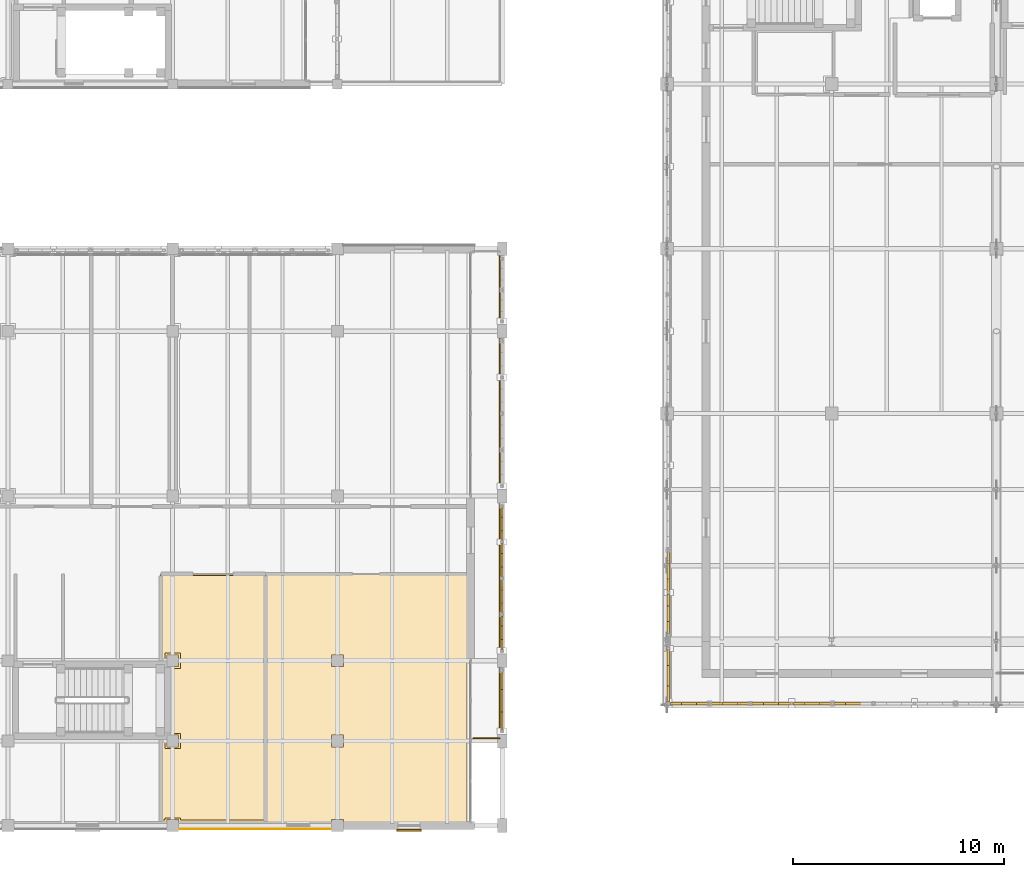
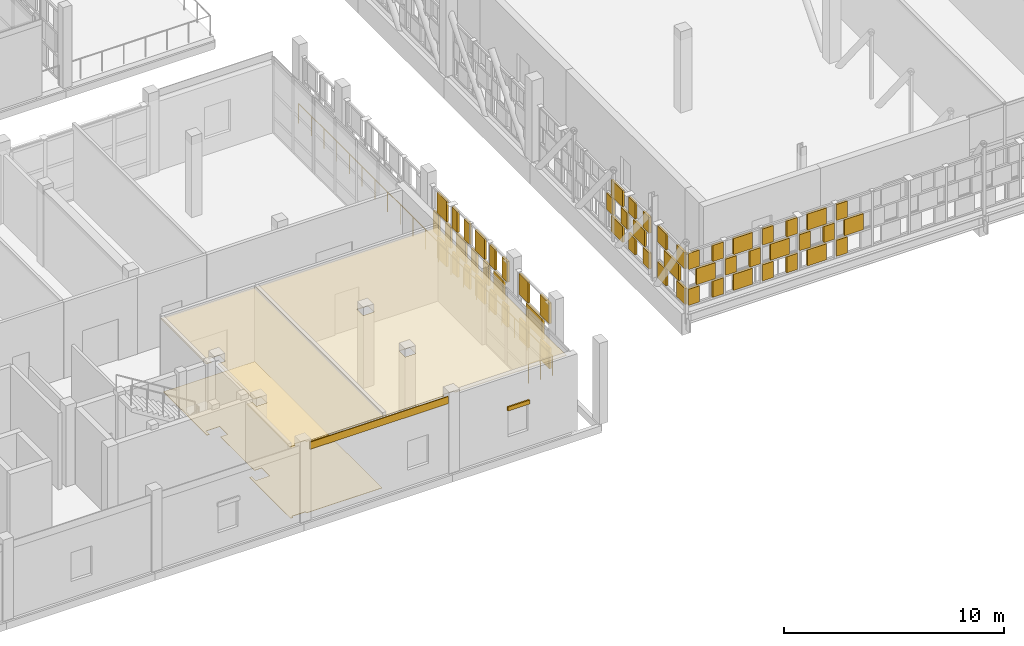
# One storey, part 104 of 119: 62 coverings, 2 railings, 1 shading device.
"""IFC4 building model written with IfcOpenShell, lengths in metres."""

from ifc_helpers import new_model, si_unit, direction, frame, origin, origin_2d, place, context, subcontext, project, spatial, polyline, rectangle, circle, outline, extrude, material, layer, layer_set, type_object, element, save


model = new_model("IFC4")

# Units and contexts
model_context = context("Model", 3, precision=1e-05, world=origin(), true_north=direction((0.0, 1.0)))
body_context = subcontext(model_context, "Body", "Model", "MODEL_VIEW")
ifc_project = project(units=[si_unit("LENGTHUNIT", "METRE"), si_unit("AREAUNIT", "SQUARE_METRE"), si_unit("VOLUMEUNIT", "CUBIC_METRE"), si_unit("PLANEANGLEUNIT", "RADIAN"), si_unit("MASSUNIT", "GRAM", prefix="KILO")], contexts=[model_context])

# Site, building, storey
site_placement = place(None, origin())
site = spatial("IfcSite", under=ifc_project, at=site_placement, CompositionType="ELEMENT")
building_placement = place(site_placement, origin())
building = spatial("IfcBuilding", under=site, at=building_placement, Name="Celorna Specialist Clinic", CompositionType="ELEMENT")
storey_placement = place(building_placement, frame((0.0, 0.0, 9.60009765625)))
storey = spatial("IfcBuildingStorey", under=building, at=storey_placement, Name="L02", CompositionType="ELEMENT", Elevation=9.60009765625)

# Railings
ifc_material_1 = material(Name="Stainless steel and laminated glass balustrade", Category="steel")
railing_type = type_object("IfcRailingType", Name="BL-01", PredefinedType="BALUSTRADE", material=ifc_material_1)
railing_1_placement = place(storey_placement, frame((46.679931640625, 27.179931640625, 0.0)))
element("IfcRailing", 1, at=railing_1_placement, inside=storey, type_object=railing_type, Name="Day Surgery Forecourt Veranda perimeter balustrade 3", PredefinedType="BALUSTRADE", context=body_context, shape_type="SweptSolid", body=[
    extrude(circle(Radius=0.02392578125, at=origin_2d()), frame((0.0, 0.0, 1.09619140625), z_axis=(0.0, -1.0, 0.0), x_axis=(1.0, 0.0, 0.0)), (0.0, 0.0, 1.0), 23.059814453125),
    extrude(circle(Radius=0.02099609375, at=origin_2d()), origin(), (0.0, 0.0, 1.0), 1.072021484375),
    extrude(circle(Radius=0.02099609375, at=origin_2d()), frame((0.0, -1.153076171875, 0.0)), (0.0, 0.0, 1.0), 1.072021484375),
    extrude(circle(Radius=0.02099609375, at=origin_2d()), frame((0.0, -2.305908203125, 0.0)), (0.0, 0.0, 1.0), 1.072021484375),
    extrude(circle(Radius=0.02099609375, at=origin_2d()), frame((0.0, -3.458984375, 0.0)), (0.0, 0.0, 1.0), 1.072021484375),
    extrude(circle(Radius=0.02099609375, at=origin_2d()), frame((0.0, -4.612060546875, 0.0)), (0.0, 0.0, 1.0), 1.072021484375),
    extrude(circle(Radius=0.02099609375, at=origin_2d()), frame((0.0, -5.764892578125, 0.0)), (0.0, 0.0, 1.0), 1.072021484375),
    extrude(circle(Radius=0.02099609375, at=origin_2d()), frame((0.0, -6.91796875, 0.0)), (0.0, 0.0, 1.0), 1.072021484375),
    extrude(circle(Radius=0.02099609375, at=origin_2d()), frame((0.0, -8.071044921875, 0.0)), (0.0, 0.0, 1.0), 1.072021484375),
    extrude(circle(Radius=0.02099609375, at=origin_2d()), frame((0.0, -9.223876953125, 0.0)), (0.0, 0.0, 1.0), 1.072021484375),
    extrude(circle(Radius=0.02099609375, at=origin_2d()), frame((0.0, -10.376953125, 0.0)), (0.0, 0.0, 1.0), 1.072021484375),
    extrude(circle(Radius=0.02099609375, at=origin_2d()), frame((0.0, -11.52978515625, 0.0)), (0.0, 0.0, 1.0), 1.072021484375),
    extrude(circle(Radius=0.02099609375, at=origin_2d()), frame((0.0, -12.682861328125, 0.0)), (0.0, 0.0, 1.0), 1.072021484375),
    extrude(circle(Radius=0.02099609375, at=origin_2d()), frame((0.0, -13.8359375, 0.0)), (0.0, 0.0, 1.0), 1.072021484375),
    extrude(circle(Radius=0.02099609375, at=origin_2d()), frame((0.0, -14.98876953125, 0.0)), (0.0, 0.0, 1.0), 1.072021484375),
    extrude(circle(Radius=0.02099609375, at=origin_2d()), frame((0.0, -16.141845703125, 0.0)), (0.0, 0.0, 1.0), 1.072021484375),
    extrude(circle(Radius=0.02099609375, at=origin_2d()), frame((0.0, -17.294921875, 0.0)), (0.0, 0.0, 1.0), 1.072021484375),
    extrude(circle(Radius=0.02099609375, at=origin_2d()), frame((0.0, -18.44775390625, 0.0)), (0.0, 0.0, 1.0), 1.072021484375),
    extrude(circle(Radius=0.02099609375, at=origin_2d()), frame((0.0, -19.600830078125, 0.0)), (0.0, 0.0, 1.0), 1.072021484375),
    extrude(circle(Radius=0.02099609375, at=origin_2d()), frame((0.0, -20.75390625, 0.0)), (0.0, 0.0, 1.0), 1.072021484375),
    extrude(circle(Radius=0.02099609375, at=origin_2d()), frame((0.0, -21.90673828125, 0.0)), (0.0, 0.0, 1.0), 1.072021484375),
    extrude(circle(Radius=0.02099609375, at=origin_2d()), frame((0.0, -23.059814453125, 0.0)), (0.0, 0.0, 1.0), 1.072021484375),
])
railing_2_placement = place(storey_placement, frame((46.679931640625, 4.1201171875, 0.0)))
element("IfcRailing", 2, at=railing_2_placement, inside=storey, type_object=railing_type, Name="Day Surgery Forecourt Veranda perimeter balustrade 4", PredefinedType="BALUSTRADE", context=body_context, shape_type="SweptSolid", body=[
    extrude(circle(Radius=0.02392578125, at=origin_2d()), frame((0.0, 0.0, 1.09619140625), z_axis=(-1.0, 0.0, 0.0), x_axis=(0.0, -1.0, 0.0)), (0.0, 0.0, 1.0), 1.260009765625),
    extrude(circle(Radius=0.02099609375, at=origin_2d()), origin(), (0.0, 0.0, 1.0), 1.072021484375),
    extrude(circle(Radius=0.02099609375, at=origin_2d()), frame((-0.6298828125, 0.0, 0.0)), (0.0, 0.0, 1.0), 1.072021484375),
    extrude(circle(Radius=0.02099609375, at=origin_2d()), frame((-1.260009765625, 0.0, 0.0)), (0.0, 0.0, 1.0), 1.072021484375),
])

# Coverings
ifc_material_2 = material(Name="Hygienic acoustic mineral-fibre ceiling")
ifc_layer_1 = layer(ifc_material_2, 0.030029296875, Name="Hygienic acoustic mineral-fibre ceiling")
ifc_layer_set_1 = layer_set([ifc_layer_1], Name="Hygienic acoustic mineral-fibre ceiling")
covering_type_1 = type_object("IfcCoveringType", Name="CE-01", PredefinedType="CEILING", material=ifc_layer_set_1)
covering_1_placement = place(storey_placement, frame((0.0, 0.0, 4.02978515625)))
element("IfcCovering", 3, at=covering_1_placement, inside=storey, type_object=covering_type_1, Name="Acoustic ceiling L02-055", PredefinedType="CEILING", context=body_context, shape_type="SweptSolid", body=[
    extrude(outline(polyline([(35.60498046875, 0.175048828125), (31.47998046875, 0.175048828125), (31.47998046875, 0.280029296875), (30.919921875, 0.280029296875), (30.919921875, 0.175048828125), (30.625, 0.175048828125), (30.625, 4.094970703125), (30.919921875, 4.094970703125), (30.919921875, 3.719970703125), (31.47998046875, 3.719970703125), (31.47998046875, 4.280029296875), (31.094970703125, 4.280029296875), (31.094970703125, 7.52001953125), (31.47998046875, 7.52001953125), (31.47998046875, 8.080078125), (30.919921875, 8.080078125), (30.919921875, 7.764892578125), (30.625, 7.764892578125), (30.625, 11.9150390625), (35.60498046875, 11.9150390625), (35.60498046875, 0.175048828125)])), origin(), (0.0, 0.0, 1.0), 0.030029296875),
])
covering_2_placement = place(storey_placement, frame((0.0, 0.0, 4.02978515625)))
element("IfcCovering", 4, at=covering_2_placement, inside=storey, type_object=covering_type_1, Name="Acoustic ceiling L02-056", PredefinedType="CEILING", context=body_context, shape_type="SweptSolid", body=[
    extrude(outline(polyline([(45.125, 11.9150390625), (45.125, 0.175048828125), (39.280029296875, 0.175048828125), (39.280029296875, 0.280029296875), (38.719970703125, 0.280029296875), (38.719970703125, 0.175048828125), (35.574951171875, 0.175048828125), (35.574951171875, 11.9150390625), (45.125, 11.9150390625)]), holes=[polyline([(39.280029296875, 4.280029296875), (38.719970703125, 4.280029296875), (38.719970703125, 3.719970703125), (39.280029296875, 3.719970703125), (39.280029296875, 4.280029296875)]), polyline([(39.280029296875, 8.080078125), (38.719970703125, 8.080078125), (38.719970703125, 7.52001953125), (39.280029296875, 7.52001953125), (39.280029296875, 8.080078125)])]), origin(), (0.0, 0.0, 1.0), 0.030029296875),
])
ifc_material_3 = material(Name="Pero Pinheiro Lioz limestone rainscreen cladding", Category="masonry")
ifc_layer_2 = layer(ifc_material_3, 0.044921875, Name="Pero Pinheiro Lioz limestone rainscreen cladding")
ifc_layer_set_2 = layer_set([ifc_layer_2], Name="Pero Pinheiro Lioz limestone rainscreen cladding")
covering_type_2 = type_object("IfcCoveringType", Name="CL-01", PredefinedType="CLADDING", material=ifc_layer_set_2)
covering_3_placement = place(storey_placement, frame((35.10009765625, -0.16748046875, 3.83984375), z_axis=(0.0, 0.0, 1.0), x_axis=(-1.0, 0.0, 0.0)))
element("IfcCovering", 5, at=covering_3_placement, inside=storey, type_object=covering_type_2, Name="Lioz spandrel cladding #340", PredefinedType="CLADDING", context=body_context, shape_type="SweptSolid", body=[
    extrude(rectangle(XDim=7.25, YDim=0.044921875, at=origin_2d()), origin(), (0.0, 0.0, 1.0), 0.39990234375),
])
ifc_material_4 = material(Name="Perforated terracotta brick weave cladding", Category="masonry")
ifc_layer_3 = layer(ifc_material_4, 0.114990234375, Name="Perforated terracotta brick weave cladding")
ifc_layer_set_3 = layer_set([ifc_layer_3], Name="Perforated terracotta brick weave cladding")
covering_type_3 = type_object("IfcCoveringType", Name="CL-02", PredefinedType="CLADDING", material=ifc_layer_set_3)
for number, where, z_axis, x_axis, name in (
    (6, (55.017578125, 5.77001953125, 0.099609375), (0.0, 0.0, 1.0), (1.0, 0.0, 0.0), "Woven perforated terracotta brick course #1"),
    (7, (56.282470703125, 5.77001953125, 0.099609375), (0.0, 0.0, 1.0), (1.0, 0.0, 0.0), "Woven perforated terracotta brick course #2"),
):
    element("IfcCovering", number, at=place(storey_placement, frame(where, z_axis=z_axis, x_axis=x_axis)), inside=storey, type_object=covering_type_3, Name=name, PredefinedType="CLADDING", context=body_context, shape_type="SweptSolid", body=[
        extrude(rectangle(XDim=0.55517578125, YDim=0.114990234375, at=origin_2d()), origin(), (0.0, 0.0, 1.0), 0.893310546875),
    ])
covering_4_placement = place(storey_placement, frame((55.64990234375, 5.77001953125, 1.09326171875), z_axis=(0.0, 0.0, 1.0), x_axis=(1.0, 0.0, 0.0)))
element("IfcCovering", 8, at=covering_4_placement, inside=storey, type_object=covering_type_3, Name="Woven perforated terracotta brick course #3", PredefinedType="CLADDING", context=body_context, shape_type="SweptSolid", body=[
    extrude(rectangle(XDim=0.98291015625, YDim=0.114990234375, at=origin_2d()), origin(), (0.0, 0.0, 1.0), 0.893310546875),
])
for number, where, z_axis, x_axis, name in (
    (9, (55.017578125, 5.77001953125, 2.08642578125), (0.0, 0.0, 1.0), (1.0, 0.0, 0.0), "Woven perforated terracotta brick course #4"),
    (10, (56.282470703125, 5.77001953125, 2.08642578125), (0.0, 0.0, 1.0), (1.0, 0.0, 0.0), "Woven perforated terracotta brick course #5"),
):
    element("IfcCovering", number, at=place(storey_placement, frame(where, z_axis=z_axis, x_axis=x_axis)), inside=storey, type_object=covering_type_3, Name=name, PredefinedType="CLADDING", context=body_context, shape_type="SweptSolid", body=[
        extrude(rectangle(XDim=0.55517578125, YDim=0.114990234375, at=origin_2d()), origin(), (0.0, 0.0, 1.0), 0.893310546875),
    ])
covering_5_placement = place(storey_placement, frame((57.590087890625, 5.77001953125, 0.099609375), z_axis=(0.0, 0.0, 1.0), x_axis=(1.0, 0.0, 0.0)))
element("IfcCovering", 11, at=covering_5_placement, inside=storey, type_object=covering_type_3, Name="Woven perforated terracotta brick course #6", PredefinedType="CLADDING", context=body_context, shape_type="SweptSolid", body=[
    extrude(rectangle(XDim=0.98291015625, YDim=0.114990234375, at=origin_2d()), origin(), (0.0, 0.0, 1.0), 0.893310546875),
])
for number, where, z_axis, x_axis, name in (
    (12, (56.95751953125, 5.77001953125, 1.09326171875), (0.0, 0.0, 1.0), (1.0, 0.0, 0.0), "Woven perforated terracotta brick course #7"),
    (13, (58.222412109375, 5.77001953125, 1.09326171875), (0.0, 0.0, 1.0), (1.0, 0.0, 0.0), "Woven perforated terracotta brick course #8"),
):
    element("IfcCovering", number, at=place(storey_placement, frame(where, z_axis=z_axis, x_axis=x_axis)), inside=storey, type_object=covering_type_3, Name=name, PredefinedType="CLADDING", context=body_context, shape_type="SweptSolid", body=[
        extrude(rectangle(XDim=0.55517578125, YDim=0.114990234375, at=origin_2d()), origin(), (0.0, 0.0, 1.0), 0.893310546875),
    ])
covering_6_placement = place(storey_placement, frame((57.590087890625, 5.77001953125, 2.08642578125), z_axis=(0.0, 0.0, 1.0), x_axis=(1.0, 0.0, 0.0)))
element("IfcCovering", 14, at=covering_6_placement, inside=storey, type_object=covering_type_3, Name="Woven perforated terracotta brick course #9", PredefinedType="CLADDING", context=body_context, shape_type="SweptSolid", body=[
    extrude(rectangle(XDim=0.98291015625, YDim=0.114990234375, at=origin_2d()), origin(), (0.0, 0.0, 1.0), 0.893310546875),
])
for number, where, z_axis, x_axis, name in (
    (15, (58.897705078125, 5.77001953125, 0.099609375), (0.0, 0.0, 1.0), (1.0, 0.0, 0.0), "Woven perforated terracotta brick course #10"),
    (16, (60.162353515625, 5.77001953125, 0.099609375), (0.0, 0.0, 1.0), (1.0, 0.0, 0.0), "Woven perforated terracotta brick course #11"),
):
    element("IfcCovering", number, at=place(storey_placement, frame(where, z_axis=z_axis, x_axis=x_axis)), inside=storey, type_object=covering_type_3, Name=name, PredefinedType="CLADDING", context=body_context, shape_type="SweptSolid", body=[
        extrude(rectangle(XDim=0.55517578125, YDim=0.114990234375, at=origin_2d()), origin(), (0.0, 0.0, 1.0), 0.893310546875),
    ])
covering_7_placement = place(storey_placement, frame((59.530029296875, 5.77001953125, 1.09326171875), z_axis=(0.0, 0.0, 1.0), x_axis=(1.0, 0.0, 0.0)))
element("IfcCovering", 17, at=covering_7_placement, inside=storey, type_object=covering_type_3, Name="Woven perforated terracotta brick course #12", PredefinedType="CLADDING", context=body_context, shape_type="SweptSolid", body=[
    extrude(rectangle(XDim=0.98291015625, YDim=0.114990234375, at=origin_2d()), origin(), (0.0, 0.0, 1.0), 0.893310546875),
])
for number, where, z_axis, x_axis, name in (
    (18, (58.897705078125, 5.77001953125, 2.08642578125), (0.0, 0.0, 1.0), (1.0, 0.0, 0.0), "Woven perforated terracotta brick course #13"),
    (19, (60.162353515625, 5.77001953125, 2.08642578125), (0.0, 0.0, 1.0), (1.0, 0.0, 0.0), "Woven perforated terracotta brick course #14"),
):
    element("IfcCovering", number, at=place(storey_placement, frame(where, z_axis=z_axis, x_axis=x_axis)), inside=storey, type_object=covering_type_3, Name=name, PredefinedType="CLADDING", context=body_context, shape_type="SweptSolid", body=[
        extrude(rectangle(XDim=0.55517578125, YDim=0.114990234375, at=origin_2d()), origin(), (0.0, 0.0, 1.0), 0.893310546875),
    ])
covering_8_placement = place(storey_placement, frame((61.469970703125, 5.77001953125, 0.099609375), z_axis=(0.0, 0.0, 1.0), x_axis=(1.0, 0.0, 0.0)))
element("IfcCovering", 20, at=covering_8_placement, inside=storey, type_object=covering_type_3, Name="Woven perforated terracotta brick course #15", PredefinedType="CLADDING", context=body_context, shape_type="SweptSolid", body=[
    extrude(rectangle(XDim=0.98291015625, YDim=0.114990234375, at=origin_2d()), origin(), (0.0, 0.0, 1.0), 0.893310546875),
])
for number, where, z_axis, x_axis, name in (
    (21, (60.837646484375, 5.77001953125, 1.09326171875), (0.0, 0.0, 1.0), (1.0, 0.0, 0.0), "Woven perforated terracotta brick course #16"),
    (22, (62.102294921875, 5.77001953125, 1.09326171875), (0.0, 0.0, 1.0), (1.0, 0.0, 0.0), "Woven perforated terracotta brick course #17"),
):
    element("IfcCovering", number, at=place(storey_placement, frame(where, z_axis=z_axis, x_axis=x_axis)), inside=storey, type_object=covering_type_3, Name=name, PredefinedType="CLADDING", context=body_context, shape_type="SweptSolid", body=[
        extrude(rectangle(XDim=0.55517578125, YDim=0.114990234375, at=origin_2d()), origin(), (0.0, 0.0, 1.0), 0.893310546875),
    ])
covering_9_placement = place(storey_placement, frame((61.469970703125, 5.77001953125, 2.08642578125), z_axis=(0.0, 0.0, 1.0), x_axis=(1.0, 0.0, 0.0)))
element("IfcCovering", 23, at=covering_9_placement, inside=storey, type_object=covering_type_3, Name="Woven perforated terracotta brick course #18", PredefinedType="CLADDING", context=body_context, shape_type="SweptSolid", body=[
    extrude(rectangle(XDim=0.98291015625, YDim=0.114990234375, at=origin_2d()), origin(), (0.0, 0.0, 1.0), 0.893310546875),
])
covering_10_placement = place(storey_placement, frame((62.777587890625, 5.77001953125, 0.099609375), z_axis=(0.0, 0.0, 1.0), x_axis=(1.0, 0.0, 0.0)))
element("IfcCovering", 24, at=covering_10_placement, inside=storey, type_object=covering_type_3, Name="Woven perforated terracotta brick course #19", PredefinedType="CLADDING", context=body_context, shape_type="SweptSolid", body=[
    extrude(rectangle(XDim=0.55517578125, YDim=0.114990234375, at=origin_2d()), origin(), (0.0, 0.0, 1.0), 0.893310546875),
])
covering_11_placement = place(storey_placement, frame((63.409912109375, 5.77001953125, 1.09326171875), z_axis=(0.0, 0.0, 1.0), x_axis=(1.0, 0.0, 0.0)))
element("IfcCovering", 25, at=covering_11_placement, inside=storey, type_object=covering_type_3, Name="Woven perforated terracotta brick course #21", PredefinedType="CLADDING", context=body_context, shape_type="SweptSolid", body=[
    extrude(rectangle(XDim=0.98291015625, YDim=0.114990234375, at=origin_2d()), origin(), (0.0, 0.0, 1.0), 0.893310546875),
])
covering_12_placement = place(storey_placement, frame((62.777587890625, 5.77001953125, 2.08642578125), z_axis=(0.0, 0.0, 1.0), x_axis=(1.0, 0.0, 0.0)))
element("IfcCovering", 26, at=covering_12_placement, inside=storey, type_object=covering_type_3, Name="Woven perforated terracotta brick course #22", PredefinedType="CLADDING", context=body_context, shape_type="SweptSolid", body=[
    extrude(rectangle(XDim=0.55517578125, YDim=0.114990234375, at=origin_2d()), origin(), (0.0, 0.0, 1.0), 0.893310546875),
])
for number, where, z_axis, x_axis, name in (
    (27, (54.669921875, 6.21826171875, 0.099609375), (0.0, 0.0, 1.0), (0.0, 1.0, 0.0), "Woven perforated terracotta brick course #145"),
    (28, (54.669921875, 7.94189453125, 0.099609375), (0.0, 0.0, 1.0), (0.0, 1.0, 0.0), "Woven perforated terracotta brick course #146"),
):
    element("IfcCovering", number, at=place(storey_placement, frame(where, z_axis=z_axis, x_axis=x_axis)), inside=storey, type_object=covering_type_3, Name=name, PredefinedType="CLADDING", context=body_context, shape_type="SweptSolid", body=[
        extrude(rectangle(XDim=0.75634765625, YDim=0.114990234375, at=origin_2d()), origin(), (0.0, 0.0, 1.0), 0.893310546875),
    ])
covering_13_placement = place(storey_placement, frame((54.669921875, 7.080078125, 1.09326171875), z_axis=(0.0, 0.0, 1.0), x_axis=(0.0, 1.0, 0.0)))
element("IfcCovering", 29, at=covering_13_placement, inside=storey, type_object=covering_type_3, Name="Woven perforated terracotta brick course #147", PredefinedType="CLADDING", context=body_context, shape_type="SweptSolid", body=[
    extrude(rectangle(XDim=1.339111328125, YDim=0.114990234375, at=origin_2d()), origin(), (0.0, 0.0, 1.0), 0.893310546875),
])
for number, where, z_axis, x_axis, name in (
    (30, (54.669921875, 6.21826171875, 2.08642578125), (0.0, 0.0, 1.0), (0.0, 1.0, 0.0), "Woven perforated terracotta brick course #148"),
    (31, (54.669921875, 7.94189453125, 2.08642578125), (0.0, 0.0, 1.0), (0.0, 1.0, 0.0), "Woven perforated terracotta brick course #149"),
):
    element("IfcCovering", number, at=place(storey_placement, frame(where, z_axis=z_axis, x_axis=x_axis)), inside=storey, type_object=covering_type_3, Name=name, PredefinedType="CLADDING", context=body_context, shape_type="SweptSolid", body=[
        extrude(rectangle(XDim=0.75634765625, YDim=0.114990234375, at=origin_2d()), origin(), (0.0, 0.0, 1.0), 0.893310546875),
    ])
for number, where, z_axis, x_axis, name in (
    (32, (54.669921875, 9.367919921875, 0.099609375), (0.0, 0.0, 1.0), (0.0, 1.0, 0.0), "Woven perforated terracotta brick course #150"),
    (33, (54.669921875, 10.68017578125, 0.099609375), (0.0, 0.0, 1.0), (0.0, 1.0, 0.0), "Woven perforated terracotta brick course #151"),
):
    element("IfcCovering", number, at=place(storey_placement, frame(where, z_axis=z_axis, x_axis=x_axis)), inside=storey, type_object=covering_type_3, Name=name, PredefinedType="CLADDING", context=body_context, shape_type="SweptSolid", body=[
        extrude(rectangle(XDim=0.57568359375, YDim=0.114990234375, at=origin_2d()), origin(), (0.0, 0.0, 1.0), 0.893310546875),
    ])
covering_14_placement = place(storey_placement, frame((54.669921875, 10.02392578125, 1.09326171875), z_axis=(0.0, 0.0, 1.0), x_axis=(0.0, 1.0, 0.0)))
element("IfcCovering", 34, at=covering_14_placement, inside=storey, type_object=covering_type_3, Name="Woven perforated terracotta brick course #152", PredefinedType="CLADDING", context=body_context, shape_type="SweptSolid", body=[
    extrude(rectangle(XDim=1.01953125, YDim=0.114990234375, at=origin_2d()), origin(), (0.0, 0.0, 1.0), 0.893310546875),
])
for number, where, z_axis, x_axis, name in (
    (35, (54.669921875, 9.367919921875, 2.08642578125), (0.0, 0.0, 1.0), (0.0, 1.0, 0.0), "Woven perforated terracotta brick course #153"),
    (36, (54.669921875, 10.68017578125, 2.08642578125), (0.0, 0.0, 1.0), (0.0, 1.0, 0.0), "Woven perforated terracotta brick course #154"),
):
    element("IfcCovering", number, at=place(storey_placement, frame(where, z_axis=z_axis, x_axis=x_axis)), inside=storey, type_object=covering_type_3, Name=name, PredefinedType="CLADDING", context=body_context, shape_type="SweptSolid", body=[
        extrude(rectangle(XDim=0.57568359375, YDim=0.114990234375, at=origin_2d()), origin(), (0.0, 0.0, 1.0), 0.893310546875),
    ])
covering_15_placement = place(storey_placement, frame((54.669921875, 12.031982421875, 0.099609375), z_axis=(0.0, 0.0, 1.0), x_axis=(0.0, 1.0, 0.0)))
element("IfcCovering", 37, at=covering_15_placement, inside=storey, type_object=covering_type_3, Name="Woven perforated terracotta brick course #155", PredefinedType="CLADDING", context=body_context, shape_type="SweptSolid", body=[
    extrude(rectangle(XDim=1.01953125, YDim=0.114990234375, at=origin_2d()), origin(), (0.0, 0.0, 1.0), 0.893310546875),
])
for number, where, z_axis, x_axis, name in (
    (38, (54.669921875, 11.3759765625, 1.09326171875), (0.0, 0.0, 1.0), (0.0, 1.0, 0.0), "Woven perforated terracotta brick course #156"),
    (39, (54.669921875, 12.68798828125, 1.09326171875), (0.0, 0.0, 1.0), (0.0, 1.0, 0.0), "Woven perforated terracotta brick course #157"),
):
    element("IfcCovering", number, at=place(storey_placement, frame(where, z_axis=z_axis, x_axis=x_axis)), inside=storey, type_object=covering_type_3, Name=name, PredefinedType="CLADDING", context=body_context, shape_type="SweptSolid", body=[
        extrude(rectangle(XDim=0.57568359375, YDim=0.114990234375, at=origin_2d()), origin(), (0.0, 0.0, 1.0), 0.893310546875),
    ])
covering_16_placement = place(storey_placement, frame((54.669921875, 12.031982421875, 2.08642578125), z_axis=(0.0, 0.0, 1.0), x_axis=(0.0, 1.0, 0.0)))
element("IfcCovering", 40, at=covering_16_placement, inside=storey, type_object=covering_type_3, Name="Woven perforated terracotta brick course #158", PredefinedType="CLADDING", context=body_context, shape_type="SweptSolid", body=[
    extrude(rectangle(XDim=1.01953125, YDim=0.114990234375, at=origin_2d()), origin(), (0.0, 0.0, 1.0), 0.893310546875),
])
for number, where, z_axis, x_axis, name in (
    (41, (46.7900390625, 4.9443359375, 0.10009765625), (0.0, 0.0, 1.0), (0.0, 1.0, 0.0), "Woven perforated terracotta brick course #1432"),
    (42, (46.7900390625, 6.855712890625, 0.10009765625), (0.0, 0.0, 1.0), (0.0, 1.0, 0.0), "Woven perforated terracotta brick course #1433"),
):
    element("IfcCovering", number, at=place(storey_placement, frame(where, z_axis=z_axis, x_axis=x_axis)), inside=storey, type_object=covering_type_3, Name=name, PredefinedType="CLADDING", context=body_context, shape_type="SweptSolid", body=[
        extrude(rectangle(XDim=0.838623046875, YDim=0.114990234375, at=origin_2d()), origin(), (0.0, 0.0, 1.0), 1.146728515625),
    ])
covering_17_placement = place(storey_placement, frame((46.7900390625, 5.89990234375, 1.3466796875), z_axis=(0.0, 0.0, 1.0), x_axis=(0.0, 1.0, 0.0)))
element("IfcCovering", 43, at=covering_17_placement, inside=storey, type_object=covering_type_3, Name="Woven perforated terracotta brick course #1434", PredefinedType="CLADDING", context=body_context, shape_type="SweptSolid", body=[
    extrude(rectangle(XDim=1.485107421875, YDim=0.114990234375, at=origin_2d()), origin(), (0.0, 0.0, 1.0), 1.146484375),
])
for number, where, z_axis, x_axis, name in (
    (44, (46.7900390625, 4.9443359375, 2.59326171875), (0.0, 0.0, 1.0), (0.0, 1.0, 0.0), "Woven perforated terracotta brick course #1435"),
    (45, (46.7900390625, 6.855712890625, 2.59326171875), (0.0, 0.0, 1.0), (0.0, 1.0, 0.0), "Woven perforated terracotta brick course #1436"),
):
    element("IfcCovering", number, at=place(storey_placement, frame(where, z_axis=z_axis, x_axis=x_axis)), inside=storey, type_object=covering_type_3, Name=name, PredefinedType="CLADDING", context=body_context, shape_type="SweptSolid", body=[
        extrude(rectangle(XDim=0.838623046875, YDim=0.114990234375, at=origin_2d()), origin(), (0.0, 0.0, 1.0), 1.146728515625),
    ])
for number, where, z_axis, x_axis, name in (
    (46, (46.7900390625, 8.568603515625, 0.10009765625), (0.0, 0.0, 1.0), (0.0, 1.0, 0.0), "Woven perforated terracotta brick course #1437"),
    (47, (46.7900390625, 9.678955078125, 0.10009765625), (0.0, 0.0, 1.0), (0.0, 1.0, 0.0), "Woven perforated terracotta brick course #1438"),
):
    element("IfcCovering", number, at=place(storey_placement, frame(where, z_axis=z_axis, x_axis=x_axis)), inside=storey, type_object=covering_type_3, Name=name, PredefinedType="CLADDING", context=body_context, shape_type="SweptSolid", body=[
        extrude(rectangle(XDim=0.4873046875, YDim=0.114990234375, at=origin_2d()), origin(), (0.0, 0.0, 1.0), 1.146728515625),
    ])
covering_18_placement = place(storey_placement, frame((46.7900390625, 9.123779296875, 1.3466796875), z_axis=(0.0, 0.0, 1.0), x_axis=(0.0, 1.0, 0.0)))
element("IfcCovering", 48, at=covering_18_placement, inside=storey, type_object=covering_type_3, Name="Woven perforated terracotta brick course #1439", PredefinedType="CLADDING", context=body_context, shape_type="SweptSolid", body=[
    extrude(rectangle(XDim=0.862548828125, YDim=0.114990234375, at=origin_2d()), origin(), (0.0, 0.0, 1.0), 1.146484375),
])
for number, where, z_axis, x_axis, name in (
    (49, (46.7900390625, 8.568603515625, 2.59326171875), (0.0, 0.0, 1.0), (0.0, 1.0, 0.0), "Woven perforated terracotta brick course #1440"),
    (50, (46.7900390625, 9.678955078125, 2.59326171875), (0.0, 0.0, 1.0), (0.0, 1.0, 0.0), "Woven perforated terracotta brick course #1441"),
):
    element("IfcCovering", number, at=place(storey_placement, frame(where, z_axis=z_axis, x_axis=x_axis)), inside=storey, type_object=covering_type_3, Name=name, PredefinedType="CLADDING", context=body_context, shape_type="SweptSolid", body=[
        extrude(rectangle(XDim=0.4873046875, YDim=0.114990234375, at=origin_2d()), origin(), (0.0, 0.0, 1.0), 1.146728515625),
    ])
covering_19_placement = place(storey_placement, frame((46.7900390625, 10.84130859375, 0.10009765625), z_axis=(0.0, 0.0, 1.0), x_axis=(0.0, 1.0, 0.0)))
element("IfcCovering", 51, at=covering_19_placement, inside=storey, type_object=covering_type_3, Name="Woven perforated terracotta brick course #1442", PredefinedType="CLADDING", context=body_context, shape_type="SweptSolid", body=[
    extrude(rectangle(XDim=0.862548828125, YDim=0.114990234375, at=origin_2d()), origin(), (0.0, 0.0, 1.0), 1.146728515625),
])
for number, where, z_axis, x_axis, name in (
    (52, (46.7900390625, 10.2861328125, 1.3466796875), (0.0, 0.0, 1.0), (0.0, 1.0, 0.0), "Woven perforated terracotta brick course #1443"),
    (53, (46.7900390625, 11.396484375, 1.3466796875), (0.0, 0.0, 1.0), (0.0, 1.0, 0.0), "Woven perforated terracotta brick course #1444"),
):
    element("IfcCovering", number, at=place(storey_placement, frame(where, z_axis=z_axis, x_axis=x_axis)), inside=storey, type_object=covering_type_3, Name=name, PredefinedType="CLADDING", context=body_context, shape_type="SweptSolid", body=[
        extrude(rectangle(XDim=0.4873046875, YDim=0.114990234375, at=origin_2d()), origin(), (0.0, 0.0, 1.0), 1.146484375),
    ])
covering_20_placement = place(storey_placement, frame((46.7900390625, 10.84130859375, 2.59326171875), z_axis=(0.0, 0.0, 1.0), x_axis=(0.0, 1.0, 0.0)))
element("IfcCovering", 54, at=covering_20_placement, inside=storey, type_object=covering_type_3, Name="Woven perforated terracotta brick course #1445", PredefinedType="CLADDING", context=body_context, shape_type="SweptSolid", body=[
    extrude(rectangle(XDim=0.862548828125, YDim=0.114990234375, at=origin_2d()), origin(), (0.0, 0.0, 1.0), 1.146728515625),
])
for number, where, z_axis, x_axis, name in (
    (55, (46.7900390625, 12.003662109375, 0.10009765625), (0.0, 0.0, 1.0), (0.0, 1.0, 0.0), "Woven perforated terracotta brick course #1446"),
    (56, (46.7900390625, 13.114013671875, 0.10009765625), (0.0, 0.0, 1.0), (0.0, 1.0, 0.0), "Woven perforated terracotta brick course #1447"),
):
    element("IfcCovering", number, at=place(storey_placement, frame(where, z_axis=z_axis, x_axis=x_axis)), inside=storey, type_object=covering_type_3, Name=name, PredefinedType="CLADDING", context=body_context, shape_type="SweptSolid", body=[
        extrude(rectangle(XDim=0.4873046875, YDim=0.114990234375, at=origin_2d()), origin(), (0.0, 0.0, 1.0), 1.146728515625),
    ])
covering_21_placement = place(storey_placement, frame((46.7900390625, 12.55859375, 1.3466796875), z_axis=(0.0, 0.0, 1.0), x_axis=(0.0, 1.0, 0.0)))
element("IfcCovering", 57, at=covering_21_placement, inside=storey, type_object=covering_type_3, Name="Woven perforated terracotta brick course #1448", PredefinedType="CLADDING", context=body_context, shape_type="SweptSolid", body=[
    extrude(rectangle(XDim=0.862548828125, YDim=0.114990234375, at=origin_2d()), origin(), (0.0, 0.0, 1.0), 1.146484375),
])
for number, where, z_axis, x_axis, name in (
    (58, (46.7900390625, 12.003662109375, 2.59326171875), (0.0, 0.0, 1.0), (0.0, 1.0, 0.0), "Woven perforated terracotta brick course #1449"),
    (59, (46.7900390625, 13.114013671875, 2.59326171875), (0.0, 0.0, 1.0), (0.0, 1.0, 0.0), "Woven perforated terracotta brick course #1450"),
):
    element("IfcCovering", number, at=place(storey_placement, frame(where, z_axis=z_axis, x_axis=x_axis)), inside=storey, type_object=covering_type_3, Name=name, PredefinedType="CLADDING", context=body_context, shape_type="SweptSolid", body=[
        extrude(rectangle(XDim=0.4873046875, YDim=0.114990234375, at=origin_2d()), origin(), (0.0, 0.0, 1.0), 1.146728515625),
    ])
covering_22_placement = place(storey_placement, frame((46.7900390625, 14.2763671875, 0.10009765625), z_axis=(0.0, 0.0, 1.0), x_axis=(0.0, 1.0, 0.0)))
element("IfcCovering", 60, at=covering_22_placement, inside=storey, type_object=covering_type_3, Name="Woven perforated terracotta brick course #1451", PredefinedType="CLADDING", context=body_context, shape_type="SweptSolid", body=[
    extrude(rectangle(XDim=0.862548828125, YDim=0.114990234375, at=origin_2d()), origin(), (0.0, 0.0, 1.0), 1.146728515625),
])
for number, where, z_axis, x_axis, name in (
    (61, (46.7900390625, 13.72119140625, 1.3466796875), (0.0, 0.0, 1.0), (0.0, 1.0, 0.0), "Woven perforated terracotta brick course #1452"),
    (62, (46.7900390625, 14.831298828125, 1.3466796875), (0.0, 0.0, 1.0), (0.0, 1.0, 0.0), "Woven perforated terracotta brick course #1453"),
):
    element("IfcCovering", number, at=place(storey_placement, frame(where, z_axis=z_axis, x_axis=x_axis)), inside=storey, type_object=covering_type_3, Name=name, PredefinedType="CLADDING", context=body_context, shape_type="SweptSolid", body=[
        extrude(rectangle(XDim=0.4873046875, YDim=0.114990234375, at=origin_2d()), origin(), (0.0, 0.0, 1.0), 1.146484375),
    ])
covering_23_placement = place(storey_placement, frame((46.7900390625, 14.2763671875, 2.59326171875), z_axis=(0.0, 0.0, 1.0), x_axis=(0.0, 1.0, 0.0)))
element("IfcCovering", 63, at=covering_23_placement, inside=storey, type_object=covering_type_3, Name="Woven perforated terracotta brick course #1454", PredefinedType="CLADDING", context=body_context, shape_type="SweptSolid", body=[
    extrude(rectangle(XDim=0.862548828125, YDim=0.114990234375, at=origin_2d()), origin(), (0.0, 0.0, 1.0), 1.146728515625),
])
ifc_material_5 = material(Name="Seamless antimicrobial clinical vinyl and Lioz terrazzo flooring")
ifc_layer_4 = layer(ifc_material_5, 0.02001953125, Name="Seamless antimicrobial clinical vinyl and Lioz terrazzo flooring")
ifc_layer_set_4 = layer_set([ifc_layer_4], Name="Seamless antimicrobial clinical vinyl and Lioz terrazzo flooring")
covering_type_4 = type_object("IfcCoveringType", Name="FL-01", PredefinedType="FLOORING", material=ifc_layer_set_4)
covering_24_placement = place(storey_placement, origin())
element("IfcCovering", 64, at=covering_24_placement, inside=storey, type_object=covering_type_4, Name="Antimicrobial clinical flooring L02-055", PredefinedType="FLOORING", context=body_context, shape_type="SweptSolid", body=[
    extrude(outline(polyline([(35.514892578125, 11.824951171875), (35.514892578125, 0.264892578125), (31.56005859375, 0.264892578125), (31.56005859375, 0.360107421875), (30.840087890625, 0.360107421875), (30.840087890625, 0.264892578125), (30.715087890625, 0.264892578125), (30.715087890625, 4.0048828125), (30.840087890625, 4.0048828125), (30.840087890625, 3.639892578125), (31.56005859375, 3.639892578125), (31.56005859375, 4.360107421875), (31.18505859375, 4.360107421875), (31.18505859375, 7.43994140625), (31.56005859375, 7.43994140625), (31.56005859375, 8.159912109375), (30.840087890625, 8.159912109375), (30.840087890625, 7.85498046875), (30.715087890625, 7.85498046875), (30.715087890625, 11.824951171875), (35.514892578125, 11.824951171875)])), origin(), (0.0, 0.0, 1.0), 0.02001953125),
])

# Shading device
ifc_material_6 = material(Name="Anodized aluminium solar louvre", Category="aluminium")
ifc_layer_5 = layer(ifc_material_6, 0.080078125, Name="Anodized aluminium solar louvre")
ifc_layer_set_5 = layer_set([ifc_layer_5], Name="Anodized aluminium solar louvre")
shading_device_type = type_object("IfcShadingDeviceType", Name="LV-01", PredefinedType="JALOUSIE", material=ifc_layer_set_5)
shading_device_placement = place(storey_placement, frame((42.382568359375, -0.22998046875, 2.39013671875), z_axis=(0.0, 0.0, 1.0), x_axis=(-1.0, 0.0, 0.0)))
element("IfcShadingDevice", 65, at=shading_device_placement, inside=storey, type_object=shading_device_type, Name="External solar louvre LV-01 #208", PredefinedType="JALOUSIE", context=body_context, shape_type="SweptSolid", body=[
    extrude(rectangle(XDim=1.14990234375, YDim=0.080078125, at=origin_2d()), origin(), (0.0, 0.0, 1.0), 0.219970703125),
])

save(model, "model.ifc")
